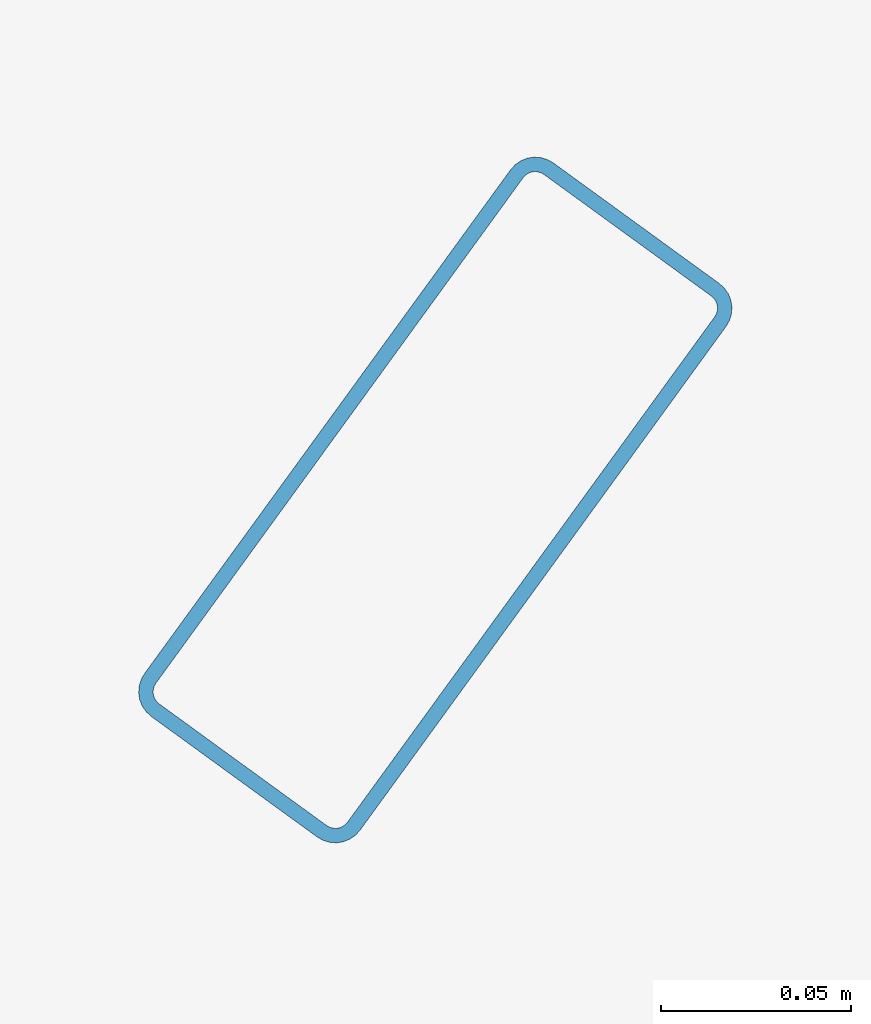
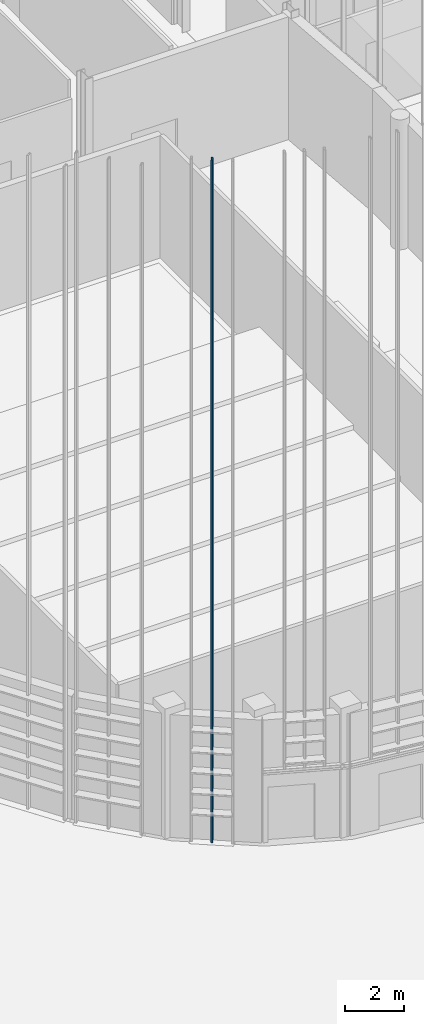
# One storey, part 46 of 372: 1 member.
"""IFC4 building model written with IfcOpenShell, lengths in metres."""

from ifc_helpers import new_model, si_unit, direction, frame, origin, origin_2d, place, context, subcontext, project, spatial, hollow_rectangle, extrude, material, material_profile, profile_set, type_object, element, save


model = new_model("IFC4")

# Units and contexts
model_context = context("Model", 3, precision=1e-05, world=origin(), true_north=direction((0.0, 1.0)))
body_context = subcontext(model_context, "Body", "Model", "MODEL_VIEW")
ifc_project = project(units=[si_unit("LENGTHUNIT", "METRE"), si_unit("AREAUNIT", "SQUARE_METRE"), si_unit("VOLUMEUNIT", "CUBIC_METRE"), si_unit("PLANEANGLEUNIT", "RADIAN"), si_unit("MASSUNIT", "GRAM", prefix="KILO")], contexts=[model_context])

# Site, building, storey
site_placement = place(None, origin())
site = spatial("IfcSite", under=ifc_project, at=site_placement, CompositionType="ELEMENT")
building_placement = place(site_placement, origin())
building = spatial("IfcBuilding", under=site, at=building_placement, Name="Kaelora Sail Theatre", CompositionType="ELEMENT")
storey_placement = place(building_placement, origin())
storey = spatial("IfcBuildingStorey", under=building, at=storey_placement, Name="L00", CompositionType="ELEMENT", Elevation=0.0)

# Member
ifc_material = material(Name="Anodised aluminium 6063-T6", Category="aluminium")
ifc_material_profile = material_profile(ifc_material, hollow_rectangle(XDim=0.070068359375, YDim=0.179931640625, WallThickness=0.00390625, InnerFilletRadius=0.00390625, OuterFilletRadius=0.008056640625, at=origin_2d()), Name="ALU-MULL 70x180x4")
ifc_profile_set = profile_set([ifc_material_profile], Name="Anodised aluminium 6063-T6")
member_type = type_object("IfcMemberType", Name="ARC-MEM-PST-160", PredefinedType="POST", material=ifc_profile_set)
member_placement = place(storey_placement, frame((34.931884765625, 26.093017578125, 0.0), z_axis=(0.0, 0.0, 1.0), x_axis=(-0.809016994375, 0.587785252292, 0.0)))
element("IfcMember", 1, at=member_placement, inside=storey, type_object=member_type, Name="Main Theatre Sail Drum solar louvre vertical support post C14-2", PredefinedType="POST", context=body_context, shape_type="SweptSolid", body=[
    extrude(hollow_rectangle(XDim=0.070068359375, YDim=0.179931640625, WallThickness=0.00390625, InnerFilletRadius=0.00390625, OuterFilletRadius=0.008056640625, at=origin_2d()), origin(), (0.0, 0.0, 1.0), 28.375),
])

save(model, "model.ifc")
